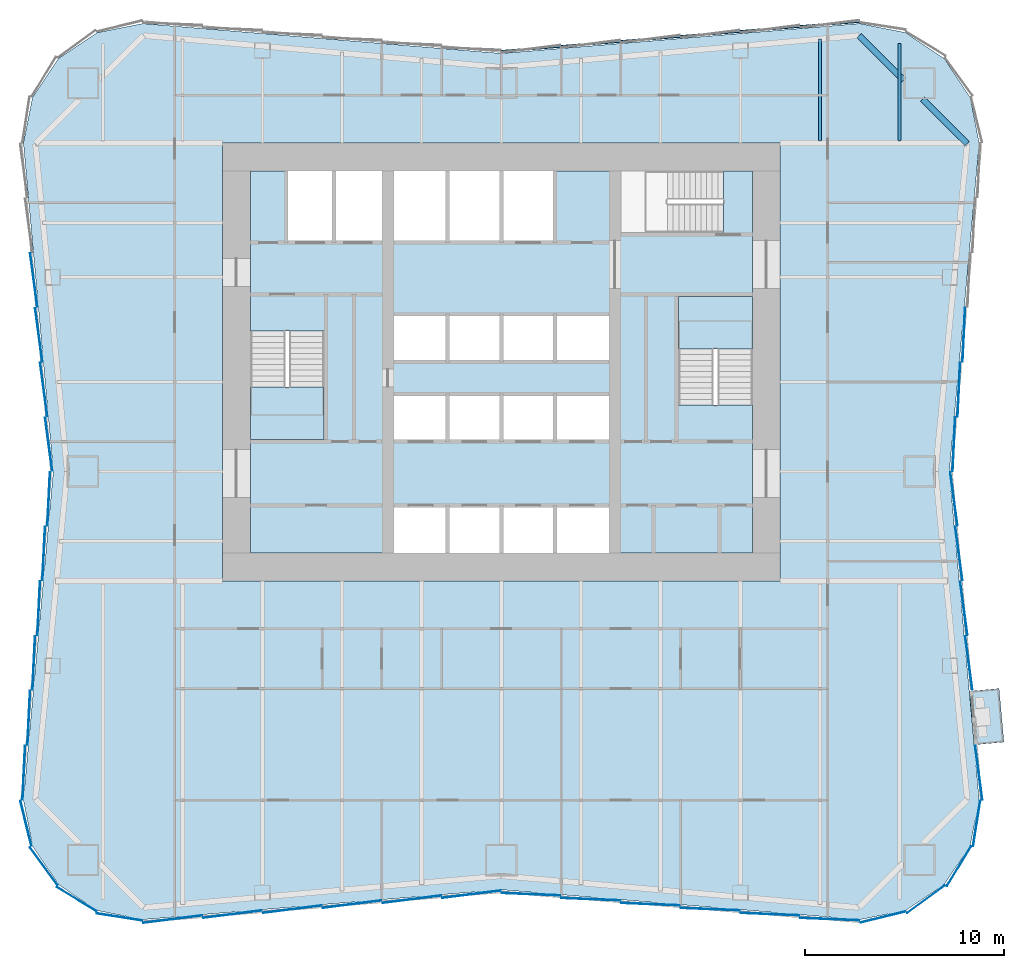
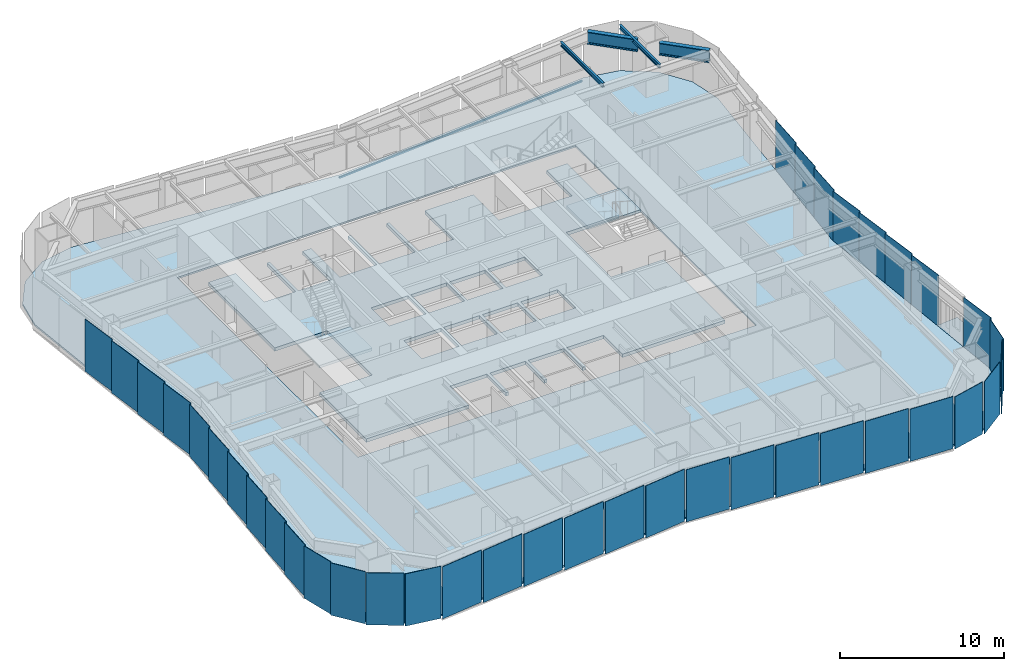
# One storey, part 2 of 9: 38 plates, 5 slabs, 4 beams, 1 member, 8 elements without a shape of their own.
"""IFC4 building model written with IfcOpenShell, lengths in metres."""

from ifc_helpers import new_model, si_unit, direction, frame, origin, origin_2d, place, context, subcontext, project, spatial, polyline, rectangle, i_section, outline, extrude, material, layer, layer_set, material_profile, profile_set, type_object, element, aggregate, save


model = new_model("IFC4")

# Units and contexts
model_context = context("Model", 3, precision=1e-05, world=origin(), true_north=direction((0.0, 1.0)))
body_context = subcontext(model_context, "Body", "Model", "MODEL_VIEW")
ifc_project = project(units=[si_unit("LENGTHUNIT", "METRE"), si_unit("AREAUNIT", "SQUARE_METRE"), si_unit("VOLUMEUNIT", "CUBIC_METRE"), si_unit("PLANEANGLEUNIT", "RADIAN"), si_unit("MASSUNIT", "GRAM", prefix="KILO")], contexts=[model_context])

# Site, building, storey
site_placement = place(None, origin())
site = spatial("IfcSite", under=ifc_project, at=site_placement, CompositionType="ELEMENT")
building_placement = place(site_placement, origin())
building = spatial("IfcBuilding", under=site, at=building_placement, Name="Verdant Reach Tower", CompositionType="ELEMENT")
storey_placement = place(building_placement, frame((0.0, 0.0, 30.0)))
storey = spatial("IfcBuildingStorey", under=building, at=storey_placement, Name="L06", CompositionType="ELEMENT", Elevation=30.0)

# Curtain wall, member
ifc_material_1 = material(Name="Anodised aluminium", Category="aluminium")
curtain_wall_type = type_object("IfcCurtainWallType", Name="EN-CW SYSTEM Z0", PredefinedType="NOTDEFINED", material=ifc_material_1)
curtain_wall_1_placement = place(storey_placement, origin())
curtain_wall_1 = element("IfcCurtainWall", 1, at=curtain_wall_1_placement, inside=storey, type_object=curtain_wall_type, Name="Curtain wall north, L06", PredefinedType="NOTDEFINED")
ifc_material_profile_1 = material_profile(ifc_material_1, rectangle(XDim=0.10009765625, YDim=0.1201171875, at=origin_2d()), Name="Transom 120x100")
ifc_profile_set_1 = profile_set([ifc_material_profile_1], Name="Anodised aluminium")
member_type = type_object("IfcMemberType", Name="EN-TRANSOM Z0", PredefinedType="USERDEFINED", material=ifc_profile_set_1)
member_placement = place(storey_placement, frame((17.975830078125, 45.097412109375, -0.2900390625), z_axis=(-0.996548656072, -0.083010698588, 0.0), x_axis=(0.083010698588, -0.996548656072, 0.0)))
member = element("IfcMember", 2, at=member_placement, type_object=member_type, Name="Transom north face part 1 1.1, L06", ObjectType="TRANSOM", PredefinedType="USERDEFINED", context=body_context, shape_type="SweptSolid", body=[
    extrude(rectangle(XDim=0.10009765625, YDim=0.1201171875, at=origin_2d()), origin(), (0.0, 0.0, 1.0), 18.00830078125),
])
aggregate(curtain_wall_1, [member])

# Beams
ifc_material_2 = material(Name="Steel S355", Category="steel")
ifc_material_profile_2 = material_profile(ifc_material_2, i_section(OverallWidth=0.14990234375, OverallDepth=0.300048828125, WebThickness=0.007080078125, FlangeThickness=0.0107421875, FilletRadius=0.014892578125, at=origin_2d()), Name="IPE 300")
ifc_profile_set_2 = profile_set([ifc_material_profile_2], Name="Steel S355")
beam_type_1 = type_object("IfcBeamType", Name="ST-JOIST-IPE300", PredefinedType="JOIST", material=ifc_profile_set_2)
beam_1_placement = place(storey_placement, frame((16.0, 39.10009765625, 3.719970703125), z_axis=(0.0, 1.0, 0.0), x_axis=(-1.0, 0.0, 0.0)))
element("IfcBeam", 3, at=beam_1_placement, inside=storey, type_object=beam_type_1, Name="Floor joist, L06", PredefinedType="JOIST", context=body_context, shape_type="SweptSolid", body=[
    extrude(i_section(OverallWidth=0.14990234375, OverallDepth=0.300048828125, WebThickness=0.007080078125, FlangeThickness=0.0107421875, FilletRadius=0.014892578125, at=origin_2d()), origin(), (0.0, 0.0, 1.0), 5.131103515625),
])
beam_2_placement = place(storey_placement, frame((20.0, 39.10009765625, 3.719970703125), z_axis=(0.0, 1.0, 0.0), x_axis=(-1.0, 0.0, 0.0)))
element("IfcBeam", 4, at=beam_2_placement, inside=storey, type_object=beam_type_1, Name="Floor joist, L06", PredefinedType="JOIST", context=body_context, shape_type="SweptSolid", body=[
    extrude(i_section(OverallWidth=0.14990234375, OverallDepth=0.300048828125, WebThickness=0.007080078125, FlangeThickness=0.0107421875, FilletRadius=0.014892578125, at=origin_2d()), origin(), (0.0, 0.0, 1.0), 4.890380859375),
])
ifc_material_profile_3 = material_profile(ifc_material_2, i_section(OverallWidth=0.302001953125, OverallDepth=0.909912109375, WebThickness=0.02099609375, FlangeThickness=0.0400390625, FilletRadius=0.030029296875, at=origin_2d()), Name="HEM 900")
ifc_profile_set_3 = profile_set([ifc_material_profile_3], Name="Steel S355")
beam_type_2 = type_object("IfcBeamType", Name="ST-SPANDREL-HEM900", PredefinedType="SPANDREL", material=ifc_profile_set_3)
beam_3_placement = place(storey_placement, frame((17.9658203125, 44.39501953125, 3.4150390625), z_axis=(0.707222697162, -0.706990846206, 0.0), x_axis=(0.706990846206, 0.707222697162, 0.0)))
element("IfcBeam", 5, at=beam_3_placement, inside=storey, type_object=beam_type_2, Name="Edge beam, L06", PredefinedType="SPANDREL", context=body_context, shape_type="SweptSolid", body=[
    extrude(i_section(OverallWidth=0.302001953125, OverallDepth=0.909912109375, WebThickness=0.02099609375, FlangeThickness=0.0400390625, FilletRadius=0.030029296875, at=origin_2d()), origin(), (0.0, 0.0, 1.0), 3.158935546875),
])
beam_4_placement = place(storey_placement, frame((21.161865234375, 41.199951171875, 3.4150390625), z_axis=(0.70722277322, -0.706990770123, 0.0), x_axis=(0.706990770123, 0.70722277322, 0.0)))
element("IfcBeam", 6, at=beam_4_placement, inside=storey, type_object=beam_type_2, Name="Edge beam, L06", PredefinedType="SPANDREL", context=body_context, shape_type="SweptSolid", body=[
    extrude(i_section(OverallWidth=0.302001953125, OverallDepth=0.909912109375, WebThickness=0.02099609375, FlangeThickness=0.0400390625, FilletRadius=0.030029296875, at=origin_2d()), origin(), (0.0, 0.0, 1.0), 3.156982421875),
])

# Stair, slab
ifc_material_3 = material(Name="Concrete C40/50", Category="concrete")
stair_type = type_object("IfcStairType", Name="CO-STAIR", PredefinedType="HALF_TURN_STAIR", material=ifc_material_3)
stair_1_placement = place(storey_placement, origin())
stair_1 = element("IfcStair", 7, at=stair_1_placement, inside=storey, type_object=stair_type, Name="L06 Exit stair 1", PredefinedType="HALF_TURN_STAIR")
ifc_layer_1 = layer(ifc_material_3, 0.199951171875)
ifc_layer_set_1 = layer_set([ifc_layer_1], Name="CO-STAIR-LANDING")
slab_type_1 = type_object("IfcSlabType", Name="CO-STAIR-LANDING", PredefinedType="LANDING", material=ifc_layer_set_1)
slab_1_placement = place(storey_placement, frame((0.0, 0.0, 1.800048828125)))
slab_1 = element("IfcSlab", 8, at=slab_1_placement, type_object=slab_type_1, Name="ST-1 landing 1", PredefinedType="LANDING", context=body_context, shape_type="SweptSolid", body=[
    extrude(outline(polyline([(-12.60009765625, 26.75), (-12.60009765625, 24.10009765625), (-8.89990234375, 24.10009765625), (-8.89990234375, 26.75), (-12.60009765625, 26.75)])), origin(), (0.0, 0.0, 1.0), 0.199951171875),
])
aggregate(stair_1, [slab_1])

stair_2_placement = place(storey_placement, origin())
stair_2 = element("IfcStair", 9, at=stair_2_placement, inside=storey, type_object=stair_type, Name="L06 Exit stair 2", PredefinedType="HALF_TURN_STAIR")
slab_2_placement = place(storey_placement, frame((0.0, 0.0, 1.800048828125)))
slab_2 = element("IfcSlab", 10, at=slab_2_placement, type_object=slab_type_1, Name="ST-2 landing 1", PredefinedType="LANDING", context=body_context, shape_type="SweptSolid", body=[
    extrude(outline(polyline([(12.60009765625, 28.64990234375), (12.60009765625, 31.300048828125), (8.89990234375, 31.300048828125), (8.89990234375, 28.64990234375), (12.60009765625, 28.64990234375)])), origin(), (0.0, 0.0, 1.0), 0.199951171875),
])
aggregate(stair_2, [slab_2])

# Slab
ifc_material_4 = material(Name="Concrete C35/45", Category="concrete")
ifc_layer_2 = layer(ifc_material_4, 0.25)
ifc_layer_set_2 = layer_set([ifc_layer_2], Name="EN-BALCONY SLAB")
slab_type_2 = type_object("IfcSlabType", Name="EN-BALCONY SLAB", PredefinedType="FLOOR", material=ifc_layer_set_2)
slab_3_placement = place(storey_placement, frame((0.0, 0.0, -0.25)))
element("IfcSlab", 11, at=slab_3_placement, inside=storey, type_object=slab_type_2, Name="Balcony slab 1, L06", PredefinedType="FLOOR", context=body_context, shape_type="SweptSolid", body=[
    extrude(outline(polyline([(23.747314453125, 8.77978515625), (23.502685546875, 11.47021484375), (24.99658203125, 11.60595703125), (25.2412109375, 8.915771484375), (23.747314453125, 8.77978515625)])), origin(), (0.0, 0.0, 1.0), 0.25),
])

# Curtain wall, plates
curtain_wall_2_placement = place(storey_placement, origin())
curtain_wall_2 = element("IfcCurtainWall", 12, at=curtain_wall_2_placement, inside=storey, type_object=curtain_wall_type, Name="Curtain wall south-east corner, L06", PredefinedType="NOTDEFINED")
ifc_material_5 = material(Name="Tinted glass with champagne spandrel", Category="glass")
ifc_layer_3 = layer(ifc_material_5, 0.031982421875)
ifc_layer_set_3 = layer_set([ifc_layer_3], Name="EN-PANEL CHAMPAGNE")
plate_type_1 = type_object("IfcPlateType", Name="EN-PANEL CHAMPAGNE", PredefinedType="CURTAIN_PANEL", material=ifc_layer_set_3)
plate_1_placement = place(storey_placement, frame((21.32373046875, 1.025390625, -0.22998046875), z_axis=(0.0, 0.0, 1.0), x_axis=(0.807456745624, 0.589926778461, 0.0)))
plate_1 = element("IfcPlate", 13, at=plate_1_placement, type_object=plate_type_1, Name="Glass panel south-east corner 2.1, L06", PredefinedType="CURTAIN_PANEL", context=body_context, shape_type="SweptSolid", body=[
    extrude(rectangle(XDim=2.32421875, YDim=0.031982421875, at=origin_2d()), origin(), (0.0, 0.0, 1.0), 3.8798828125),
])
plate_2_placement = place(storey_placement, frame((22.974609375, 2.67626953125, -0.22998046875), z_axis=(0.0, 0.0, 1.0), x_axis=(0.520291583159, 0.853988681713, 0.0)))
plate_2 = element("IfcPlate", 14, at=plate_2_placement, type_object=plate_type_1, Name="Glass panel south-east corner 3.1, L06", PredefinedType="CURTAIN_PANEL", context=body_context, shape_type="SweptSolid", body=[
    extrude(rectangle(XDim=2.32421875, YDim=0.031982421875, at=origin_2d()), origin(), (0.0, 0.0, 1.0), 3.8798828125),
])
plate_3_placement = place(storey_placement, frame((23.86767578125, 4.830078125, -0.22998046875), z_axis=(0.0, 0.0, 1.0), x_axis=(0.154210737778, 0.988037979206, 0.0)))
plate_3 = element("IfcPlate", 15, at=plate_3_placement, type_object=plate_type_1, Name="Glass panel south-east corner 4.1, L06", PredefinedType="CURTAIN_PANEL", context=body_context, shape_type="SweptSolid", body=[
    extrude(rectangle(XDim=2.31884765625, YDim=0.031982421875, at=origin_2d()), origin(), (0.0, 0.0, 1.0), 3.8798828125),
])

curtain_wall_3_placement = place(storey_placement, origin())
curtain_wall_3 = element("IfcCurtainWall", 16, at=curtain_wall_3_placement, inside=storey, type_object=curtain_wall_type, Name="Curtain wall east, L06", PredefinedType="NOTDEFINED")
plate_4_placement = place(storey_placement, frame((23.974609375, 7.376953125, -0.22998046875), z_axis=(0.0, 0.0, 1.0), x_axis=(-0.131792939527, 0.991277267514, 0.0)))
plate_4 = element("IfcPlate", 17, at=plate_4_placement, type_object=plate_type_1, Name="Glass panel east face part 1 1.1, L06", PredefinedType="CURTAIN_PANEL", context=body_context, shape_type="SweptSolid", body=[
    extrude(rectangle(XDim=2.7197265625, YDim=0.031982421875, at=origin_2d()), origin(), (0.0, 0.0, 1.0), 3.8798828125),
])
plate_5_placement = place(storey_placement, frame((22.974609375, 26.615966796875, -0.22998046875), z_axis=(0.0, 0.0, 1.0), x_axis=(0.04875265175, 0.998810882473, 0.0)))
plate_5 = element("IfcPlate", 18, at=plate_5_placement, type_object=plate_type_1, Name="Glass panel east face part 2 2.1, L06", PredefinedType="CURTAIN_PANEL", context=body_context, shape_type="SweptSolid", body=[
    extrude(rectangle(XDim=2.705322265625, YDim=0.031982421875, at=origin_2d()), origin(), (0.0, 0.0, 1.0), 3.8798828125),
])
plate_6_placement = place(storey_placement, frame((23.224609375, 29.365966796875, -0.22998046875), z_axis=(0.0, 0.0, 1.0), x_axis=(0.04875265175, 0.998810882473, 0.0)))
plate_6 = element("IfcPlate", 19, at=plate_6_placement, type_object=plate_type_1, Name="Glass panel east face part 2 3.1, L06", PredefinedType="CURTAIN_PANEL", context=body_context, shape_type="SweptSolid", body=[
    extrude(rectangle(XDim=2.705322265625, YDim=0.031982421875, at=origin_2d()), origin(), (0.0, 0.0, 1.0), 3.8798828125),
])

curtain_wall_4_placement = place(storey_placement, origin())
curtain_wall_4 = element("IfcCurtainWall", 20, at=curtain_wall_4_placement, inside=storey, type_object=curtain_wall_type, Name="Curtain wall west, L06", PredefinedType="NOTDEFINED")
plate_7_placement = place(storey_placement, frame((-22.974609375, 26.615966796875, -0.22998046875), z_axis=(0.0, 0.0, 1.0), x_axis=(0.132160009881, -0.99122839537, 0.0)))
plate_7 = element("IfcPlate", 21, at=plate_7_placement, type_object=plate_type_1, Name="Glass panel west face part 1 5.1, L06", PredefinedType="CURTAIN_PANEL", context=body_context, shape_type="SweptSolid", body=[
    extrude(rectangle(XDim=2.705322265625, YDim=0.031982421875, at=origin_2d()), origin(), (0.0, 0.0, 1.0), 3.8798828125),
])
plate_8_placement = place(storey_placement, frame((-22.724853515625, 23.870361328125, -0.22998046875), z_axis=(0.0, 0.0, 1.0), x_axis=(0.132307913434, -0.991208664229, 0.0)))
plate_8 = element("IfcPlate", 22, at=plate_8_placement, type_object=plate_type_1, Name="Glass panel west face part 1 6.1, L06", PredefinedType="CURTAIN_PANEL", context=body_context, shape_type="SweptSolid", body=[
    extrude(rectangle(XDim=2.6962890625, YDim=0.031982421875, at=origin_2d()), origin(), (0.0, 0.0, 1.0), 3.8798828125),
])
plate_9_placement = place(storey_placement, frame((-23.974609375, 7.376953125, -0.22998046875), z_axis=(0.0, 0.0, 1.0), x_axis=(-0.048382779248, -0.998828867561, 0.0)))
plate_9 = element("IfcPlate", 23, at=plate_9_placement, type_object=plate_type_1, Name="Glass panel west face part 2 6.1, L06", PredefinedType="CURTAIN_PANEL", context=body_context, shape_type="SweptSolid", body=[
    extrude(rectangle(XDim=2.7197265625, YDim=0.031982421875, at=origin_2d()), origin(), (0.0, 0.0, 1.0), 3.8798828125),
])

curtain_wall_5_placement = place(storey_placement, origin())
curtain_wall_5 = element("IfcCurtainWall", 24, at=curtain_wall_5_placement, inside=storey, type_object=curtain_wall_type, Name="Curtain wall south, L06", PredefinedType="NOTDEFINED")
plate_10_placement = place(storey_placement, frame((-13.49169921875, 0.275390625, -0.22998046875), z_axis=(0.0, 0.0, 1.0), x_axis=(0.992194034542, 0.124703639961, 0.0)))
plate_10 = element("IfcPlate", 25, at=plate_10_placement, type_object=plate_type_1, Name="Glass panel south face part 1 2.1, L06", PredefinedType="CURTAIN_PANEL", context=body_context, shape_type="SweptSolid", body=[
    extrude(rectangle(XDim=2.954345703125, YDim=0.031982421875, at=origin_2d()), origin(), (0.0, 0.0, 1.0), 3.8798828125),
])
plate_11_placement = place(storey_placement, frame((-10.49169921875, 0.525390625, -0.22998046875), z_axis=(0.0, 0.0, 1.0), x_axis=(0.992194034542, 0.124703639961, 0.0)))
plate_11 = element("IfcPlate", 26, at=plate_11_placement, type_object=plate_type_1, Name="Glass panel south face part 1 3.1, L06", PredefinedType="CURTAIN_PANEL", context=body_context, shape_type="SweptSolid", body=[
    extrude(rectangle(XDim=2.954345703125, YDim=0.031982421875, at=origin_2d()), origin(), (0.0, 0.0, 1.0), 3.8798828125),
])
plate_12_placement = place(storey_placement, frame((-7.49169921875, 0.775390625, -0.22998046875), z_axis=(0.0, 0.0, 1.0), x_axis=(0.992194034542, 0.124703639961, 0.0)))
plate_12 = element("IfcPlate", 27, at=plate_12_placement, type_object=plate_type_1, Name="Glass panel south face part 1 4.1, L06", PredefinedType="CURTAIN_PANEL", context=body_context, shape_type="SweptSolid", body=[
    extrude(rectangle(XDim=2.954345703125, YDim=0.031982421875, at=origin_2d()), origin(), (0.0, 0.0, 1.0), 3.8798828125),
])
plate_13_placement = place(storey_placement, frame((10.49169921875, 0.525390625, -0.22998046875), z_axis=(0.0, 0.0, 1.0), x_axis=(0.999149202059, -0.041241629766, 0.0)))
plate_13 = element("IfcPlate", 28, at=plate_13_placement, type_object=plate_type_1, Name="Glass panel south face part 2 4.1, L06", PredefinedType="CURTAIN_PANEL", context=body_context, shape_type="SweptSolid", body=[
    extrude(rectangle(XDim=2.954345703125, YDim=0.031982421875, at=origin_2d()), origin(), (0.0, 0.0, 1.0), 3.8798828125),
])
plate_14_placement = place(storey_placement, frame((13.49169921875, 0.275390625, -0.22998046875), z_axis=(0.0, 0.0, 1.0), x_axis=(0.999149202059, -0.041241629766, 0.0)))
plate_14 = element("IfcPlate", 29, at=plate_14_placement, type_object=plate_type_1, Name="Glass panel south face part 2 5.1, L06", PredefinedType="CURTAIN_PANEL", context=body_context, shape_type="SweptSolid", body=[
    extrude(rectangle(XDim=2.954345703125, YDim=0.031982421875, at=origin_2d()), origin(), (0.0, 0.0, 1.0), 3.8798828125),
])

# Plate
ifc_material_6 = material(Name="Tinted glass with copper spandrel", Category="glass")
ifc_layer_4 = layer(ifc_material_6, 0.031982421875)
ifc_layer_set_4 = layer_set([ifc_layer_4], Name="EN-PANEL COPPER")
plate_type_2 = type_object("IfcPlateType", Name="EN-PANEL COPPER", PredefinedType="CURTAIN_PANEL", material=ifc_layer_set_4)
plate_15_placement = place(storey_placement, frame((23.474609375, 12.884033203125, -0.22998046875), z_axis=(0.0, 0.0, 1.0), x_axis=(-0.132160009881, 0.99122839537, 0.0)))
plate_15 = element("IfcPlate", 30, at=plate_15_placement, type_object=plate_type_2, Name="Glass panel east face part 1 3.1, L06", PredefinedType="CURTAIN_PANEL", context=body_context, shape_type="SweptSolid", body=[
    extrude(rectangle(XDim=2.705322265625, YDim=0.031982421875, at=origin_2d()), origin(), (0.0, 0.0, 1.0), 3.8798828125),
])

plate_16_placement = place(storey_placement, frame((23.224609375, 15.634033203125, -0.22998046875), z_axis=(0.0, 0.0, 1.0), x_axis=(-0.132160009881, 0.99122839537, 0.0)))
plate_16 = element("IfcPlate", 31, at=plate_16_placement, type_object=plate_type_2, Name="Glass panel east face part 1 4.1, L06", PredefinedType="CURTAIN_PANEL", context=body_context, shape_type="SweptSolid", body=[
    extrude(rectangle(XDim=2.705322265625, YDim=0.031982421875, at=origin_2d()), origin(), (0.0, 0.0, 1.0), 3.8798828125),
])

plate_17_placement = place(storey_placement, frame((22.974609375, 18.384033203125, -0.22998046875), z_axis=(0.0, 0.0, 1.0), x_axis=(-0.132160009881, 0.99122839537, 0.0)))
plate_17 = element("IfcPlate", 32, at=plate_17_placement, type_object=plate_type_2, Name="Glass panel east face part 1 5.1, L06", PredefinedType="CURTAIN_PANEL", context=body_context, shape_type="SweptSolid", body=[
    extrude(rectangle(XDim=2.705322265625, YDim=0.031982421875, at=origin_2d()), origin(), (0.0, 0.0, 1.0), 3.8798828125),
])

plate_18_placement = place(storey_placement, frame((-22.724853515625, 21.129638671875, -0.22998046875), z_axis=(0.0, 0.0, 1.0), x_axis=(-0.048901687644, -0.998803596782, 0.0)))
plate_18 = element("IfcPlate", 33, at=plate_18_placement, type_object=plate_type_2, Name="Glass panel west face part 2 1.1, L06", PredefinedType="CURTAIN_PANEL", context=body_context, shape_type="SweptSolid", body=[
    extrude(rectangle(XDim=2.6962890625, YDim=0.031982421875, at=origin_2d()), origin(), (0.0, 0.0, 1.0), 3.8798828125),
])

plate_19_placement = place(storey_placement, frame((-22.974609375, 18.384033203125, -0.22998046875), z_axis=(0.0, 0.0, 1.0), x_axis=(-0.04875265175, -0.998810882473, 0.0)))
plate_19 = element("IfcPlate", 34, at=plate_19_placement, type_object=plate_type_2, Name="Glass panel west face part 2 2.1, L06", PredefinedType="CURTAIN_PANEL", context=body_context, shape_type="SweptSolid", body=[
    extrude(rectangle(XDim=2.705322265625, YDim=0.031982421875, at=origin_2d()), origin(), (0.0, 0.0, 1.0), 3.8798828125),
])

plate_20_placement = place(storey_placement, frame((-23.224609375, 15.634033203125, -0.22998046875), z_axis=(0.0, 0.0, 1.0), x_axis=(-0.04875265175, -0.998810882473, 0.0)))
plate_20 = element("IfcPlate", 35, at=plate_20_placement, type_object=plate_type_2, Name="Glass panel west face part 2 3.1, L06", PredefinedType="CURTAIN_PANEL", context=body_context, shape_type="SweptSolid", body=[
    extrude(rectangle(XDim=2.705322265625, YDim=0.031982421875, at=origin_2d()), origin(), (0.0, 0.0, 1.0), 3.8798828125),
])

# Curtain wall, plate
curtain_wall_6_placement = place(storey_placement, origin())
curtain_wall_6 = element("IfcCurtainWall", 36, at=curtain_wall_6_placement, inside=storey, type_object=curtain_wall_type, Name="Curtain wall south-west corner, L06", PredefinedType="NOTDEFINED")
plate_21_placement = place(storey_placement, frame((-23.86767578125, 4.830078125, -0.22998046875), z_axis=(0.0, 0.0, 1.0), x_axis=(0.236346786246, -0.97166876899, 0.0)))
plate_21 = element("IfcPlate", 37, at=plate_21_placement, type_object=plate_type_2, Name="Glass panel south-west corner 1.1, L06", PredefinedType="CURTAIN_PANEL", context=body_context, shape_type="SweptSolid", body=[
    extrude(rectangle(XDim=2.31884765625, YDim=0.031982421875, at=origin_2d()), origin(), (0.0, 0.0, 1.0), 3.8798828125),
])

# Plate
plate_22_placement = place(storey_placement, frame((-4.49169921875, 1.025390625, -0.22998046875), z_axis=(0.0, 0.0, 1.0), x_axis=(0.992194034542, 0.124703639961, 0.0)))
plate_22 = element("IfcPlate", 38, at=plate_22_placement, type_object=plate_type_2, Name="Glass panel south face part 1 5.1, L06", PredefinedType="CURTAIN_PANEL", context=body_context, shape_type="SweptSolid", body=[
    extrude(rectangle(XDim=2.954345703125, YDim=0.031982421875, at=origin_2d()), origin(), (0.0, 0.0, 1.0), 3.8798828125),
])

plate_23_placement = place(storey_placement, frame((-1.495849609375, 1.275146484375, -0.22998046875), z_axis=(0.0, 0.0, 1.0), x_axis=(0.992179679439, 0.124817802047, 0.0)))
plate_23 = element("IfcPlate", 39, at=plate_23_placement, type_object=plate_type_2, Name="Glass panel south face part 1 6.1, L06", PredefinedType="CURTAIN_PANEL", context=body_context, shape_type="SweptSolid", body=[
    extrude(rectangle(XDim=2.946044921875, YDim=0.031982421875, at=origin_2d()), origin(), (0.0, 0.0, 1.0), 3.8798828125),
])

plate_24_placement = place(storey_placement, frame((16.498779296875, 0.025146484375, -0.22998046875), z_axis=(0.0, 0.0, 1.0), x_axis=(0.999162442933, -0.040919587398, 0.0)))
plate_24 = element("IfcPlate", 40, at=plate_24_placement, type_object=plate_type_2, Name="Glass panel south face part 2 6.1, L06", PredefinedType="CURTAIN_PANEL", context=body_context, shape_type="SweptSolid", body=[
    extrude(rectangle(XDim=2.96826171875, YDim=0.031982421875, at=origin_2d()), origin(), (0.0, 0.0, 1.0), 3.8798828125),
])

ifc_material_7 = material(Name="Tinted glass with dark bronze spandrel", Category="glass")
ifc_layer_5 = layer(ifc_material_7, 0.031982421875)
ifc_layer_set_5 = layer_set([ifc_layer_5], Name="EN-PANEL DARK")
plate_type_3 = type_object("IfcPlateType", Name="EN-PANEL DARK", PredefinedType="CURTAIN_PANEL", material=ifc_layer_set_5)
plate_25_placement = place(storey_placement, frame((19.169921875, 0.13232421875, -0.22998046875), z_axis=(0.0, 0.0, 1.0), x_axis=(0.97166347331, 0.236368556782, 0.0)))
plate_25 = element("IfcPlate", 41, at=plate_25_placement, type_object=plate_type_3, Name="Glass panel south-east corner 1.1, L06", PredefinedType="CURTAIN_PANEL", context=body_context, shape_type="SweptSolid", body=[
    extrude(rectangle(XDim=2.318603515625, YDim=0.031982421875, at=origin_2d()), origin(), (0.0, 0.0, 1.0), 3.8798828125),
])

aggregate(curtain_wall_2, [plate_25, plate_1, plate_2, plate_3])

plate_26_placement = place(storey_placement, frame((22.724853515625, 21.129638671875, -0.22998046875), z_axis=(0.0, 0.0, 1.0), x_axis=(-0.132307913434, 0.991208664229, 0.0)))
plate_26 = element("IfcPlate", 42, at=plate_26_placement, type_object=plate_type_3, Name="Glass panel east face part 1 6.1, L06", PredefinedType="CURTAIN_PANEL", context=body_context, shape_type="SweptSolid", body=[
    extrude(rectangle(XDim=2.6962890625, YDim=0.031982421875, at=origin_2d()), origin(), (0.0, 0.0, 1.0), 3.8798828125),
])

plate_27_placement = place(storey_placement, frame((22.724853515625, 23.870361328125, -0.22998046875), z_axis=(0.0, 0.0, 1.0), x_axis=(0.048901687644, 0.998803596782, 0.0)))
plate_27 = element("IfcPlate", 43, at=plate_27_placement, type_object=plate_type_3, Name="Glass panel east face part 2 1.1, L06", PredefinedType="CURTAIN_PANEL", context=body_context, shape_type="SweptSolid", body=[
    extrude(rectangle(XDim=2.6962890625, YDim=0.031982421875, at=origin_2d()), origin(), (0.0, 0.0, 1.0), 3.8798828125),
])

aggregate(curtain_wall_3, [plate_4, plate_15, plate_16, plate_17, plate_26, plate_27, plate_5, plate_6])

plate_28_placement = place(storey_placement, frame((-23.474609375, 32.115966796875, -0.22998046875), z_axis=(0.0, 0.0, 1.0), x_axis=(0.132160009881, -0.99122839537, 0.0)))
plate_28 = element("IfcPlate", 44, at=plate_28_placement, type_object=plate_type_3, Name="Glass panel west face part 1 3.1, L06", PredefinedType="CURTAIN_PANEL", context=body_context, shape_type="SweptSolid", body=[
    extrude(rectangle(XDim=2.705322265625, YDim=0.031982421875, at=origin_2d()), origin(), (0.0, 0.0, 1.0), 3.8798828125),
])

plate_29_placement = place(storey_placement, frame((-23.224609375, 29.365966796875, -0.22998046875), z_axis=(0.0, 0.0, 1.0), x_axis=(0.132160009881, -0.99122839537, 0.0)))
plate_29 = element("IfcPlate", 45, at=plate_29_placement, type_object=plate_type_3, Name="Glass panel west face part 1 4.1, L06", PredefinedType="CURTAIN_PANEL", context=body_context, shape_type="SweptSolid", body=[
    extrude(rectangle(XDim=2.705322265625, YDim=0.031982421875, at=origin_2d()), origin(), (0.0, 0.0, 1.0), 3.8798828125),
])

plate_30_placement = place(storey_placement, frame((-23.474609375, 12.884033203125, -0.22998046875), z_axis=(0.0, 0.0, 1.0), x_axis=(-0.04875265175, -0.998810882473, 0.0)))
plate_30 = element("IfcPlate", 46, at=plate_30_placement, type_object=plate_type_3, Name="Glass panel west face part 2 4.1, L06", PredefinedType="CURTAIN_PANEL", context=body_context, shape_type="SweptSolid", body=[
    extrude(rectangle(XDim=2.705322265625, YDim=0.031982421875, at=origin_2d()), origin(), (0.0, 0.0, 1.0), 3.8798828125),
])

plate_31_placement = place(storey_placement, frame((-23.724609375, 10.134033203125, -0.22998046875), z_axis=(0.0, 0.0, 1.0), x_axis=(-0.04875265175, -0.998810882473, 0.0)))
plate_31 = element("IfcPlate", 47, at=plate_31_placement, type_object=plate_type_3, Name="Glass panel west face part 2 5.1, L06", PredefinedType="CURTAIN_PANEL", context=body_context, shape_type="SweptSolid", body=[
    extrude(rectangle(XDim=2.705322265625, YDim=0.031982421875, at=origin_2d()), origin(), (0.0, 0.0, 1.0), 3.8798828125),
])

aggregate(curtain_wall_4, [plate_28, plate_29, plate_7, plate_8, plate_18, plate_19, plate_20, plate_30, plate_31, plate_9])

plate_32_placement = place(storey_placement, frame((-22.974609375, 2.67626953125, -0.22998046875), z_axis=(0.0, 0.0, 1.0), x_axis=(0.589926778461, -0.807456745624, 0.0)))
plate_32 = element("IfcPlate", 48, at=plate_32_placement, type_object=plate_type_3, Name="Glass panel south-west corner 2.1, L06", PredefinedType="CURTAIN_PANEL", context=body_context, shape_type="SweptSolid", body=[
    extrude(rectangle(XDim=2.32421875, YDim=0.031982421875, at=origin_2d()), origin(), (0.0, 0.0, 1.0), 3.8798828125),
])

plate_33_placement = place(storey_placement, frame((-21.32373046875, 1.025390625, -0.22998046875), z_axis=(0.0, 0.0, 1.0), x_axis=(0.853988681713, -0.520291583159, 0.0)))
plate_33 = element("IfcPlate", 49, at=plate_33_placement, type_object=plate_type_3, Name="Glass panel south-west corner 3.1, L06", PredefinedType="CURTAIN_PANEL", context=body_context, shape_type="SweptSolid", body=[
    extrude(rectangle(XDim=2.32421875, YDim=0.031982421875, at=origin_2d()), origin(), (0.0, 0.0, 1.0), 3.8798828125),
])

plate_34_placement = place(storey_placement, frame((-19.169921875, 0.13232421875, -0.22998046875), z_axis=(0.0, 0.0, 1.0), x_axis=(0.98803452381, -0.154232875093, 0.0)))
plate_34 = element("IfcPlate", 50, at=plate_34_placement, type_object=plate_type_3, Name="Glass panel south-west corner 4.1, L06", PredefinedType="CURTAIN_PANEL", context=body_context, shape_type="SweptSolid", body=[
    extrude(rectangle(XDim=2.318603515625, YDim=0.031982421875, at=origin_2d()), origin(), (0.0, 0.0, 1.0), 3.8798828125),
])

aggregate(curtain_wall_6, [plate_21, plate_32, plate_33, plate_34])

plate_35_placement = place(storey_placement, frame((-16.498779296875, 0.025146484375, -0.22998046875), z_axis=(0.0, 0.0, 1.0), x_axis=(0.992234176789, 0.124383835008, 0.0)))
plate_35 = element("IfcPlate", 51, at=plate_35_placement, type_object=plate_type_3, Name="Glass panel south face part 1 1.1, L06", PredefinedType="CURTAIN_PANEL", context=body_context, shape_type="SweptSolid", body=[
    extrude(rectangle(XDim=2.96826171875, YDim=0.031982421875, at=origin_2d()), origin(), (0.0, 0.0, 1.0), 3.8798828125),
])

plate_36_placement = place(storey_placement, frame((1.495849609375, 1.275146484375, -0.22998046875), z_axis=(0.0, 0.0, 1.0), x_axis=(0.999144450138, -0.041356592674, 0.0)))
plate_36 = element("IfcPlate", 52, at=plate_36_placement, type_object=plate_type_3, Name="Glass panel south face part 2 1.1, L06", PredefinedType="CURTAIN_PANEL", context=body_context, shape_type="SweptSolid", body=[
    extrude(rectangle(XDim=2.946044921875, YDim=0.031982421875, at=origin_2d()), origin(), (0.0, 0.0, 1.0), 3.8798828125),
])

plate_37_placement = place(storey_placement, frame((4.49169921875, 1.025390625, -0.22998046875), z_axis=(0.0, 0.0, 1.0), x_axis=(0.999149202059, -0.041241629766, 0.0)))
plate_37 = element("IfcPlate", 53, at=plate_37_placement, type_object=plate_type_3, Name="Glass panel south face part 2 2.1, L06", PredefinedType="CURTAIN_PANEL", context=body_context, shape_type="SweptSolid", body=[
    extrude(rectangle(XDim=2.954345703125, YDim=0.031982421875, at=origin_2d()), origin(), (0.0, 0.0, 1.0), 3.8798828125),
])

plate_38_placement = place(storey_placement, frame((7.49169921875, 0.775390625, -0.22998046875), z_axis=(0.0, 0.0, 1.0), x_axis=(0.999149202059, -0.041241629766, 0.0)))
plate_38 = element("IfcPlate", 54, at=plate_38_placement, type_object=plate_type_3, Name="Glass panel south face part 2 3.1, L06", PredefinedType="CURTAIN_PANEL", context=body_context, shape_type="SweptSolid", body=[
    extrude(rectangle(XDim=2.954345703125, YDim=0.031982421875, at=origin_2d()), origin(), (0.0, 0.0, 1.0), 3.8798828125),
])

aggregate(curtain_wall_5, [plate_35, plate_10, plate_11, plate_12, plate_22, plate_23, plate_36, plate_37, plate_38, plate_13, plate_14, plate_24])

# Slabs
ifc_material_8 = material(Name="Concrete C35/45", Category="concrete")
ifc_layer_6 = layer(ifc_material_8, 0.1298828125)
ifc_layer_set_6 = layer_set([ifc_layer_6], Name="ST-SLAB-130")
slab_type_3 = type_object("IfcSlabType", Name="ST-SLAB-130", PredefinedType="FLOOR", material=ifc_layer_set_6)
slab_4_placement = place(storey_placement, frame((0.0, 0.0, -0.1298828125)))
element("IfcSlab", 55, at=slab_4_placement, inside=storey, type_object=slab_type_3, Name="Floor slab L06", PredefinedType="FLOOR", context=body_context, shape_type="SweptSolid", body=[
    extrude(outline(polyline([(0.0, 1.5), (-18.0, 0.0), (-20.296142578125, 0.456787109375), (-22.24267578125, 1.75732421875), (-23.543212890625, 3.703857421875), (-24.0, 6.0), (-22.5, 22.5), (-24.0, 39.0), (-23.543212890625, 41.296142578125), (-22.24267578125, 43.24267578125), (-20.296142578125, 44.543212890625), (-18.0, 45.0), (0.0, 43.5), (18.0, 45.0), (20.296142578125, 44.543212890625), (22.24267578125, 43.24267578125), (23.543212890625, 41.296142578125), (24.0, 39.0), (22.5, 22.5), (24.0, 6.0), (23.543212890625, 3.703857421875), (22.24267578125, 1.75732421875), (20.296142578125, 0.456787109375), (18.0, 0.0), (0.0, 1.5)]), holes=[polyline([(14.0, 39.0), (-14.0, 39.0), (-14.0, 17.0), (14.0, 17.0), (14.0, 39.0)])]), origin(), (0.0, 0.0, 1.0), 0.1298828125),
])
ifc_layer_7 = layer(ifc_material_8, 0.25)
ifc_layer_set_7 = layer_set([ifc_layer_7], Name="ST-SLAB-250")
slab_type_4 = type_object("IfcSlabType", Name="ST-SLAB-250", PredefinedType="FLOOR", material=ifc_layer_set_7)
slab_5_placement = place(storey_placement, frame((0.0, 0.0, -0.25)))
element("IfcSlab", 56, at=slab_5_placement, inside=storey, type_object=slab_type_4, Name="Core floor slab L06", PredefinedType="FLOOR", context=body_context, shape_type="SweptSolid", body=[
    extrude(outline(polyline([(12.60009765625, 18.39990234375), (5.39990234375, 18.39990234375), (5.39990234375, 20.699951171875), (2.800048828125, 20.699951171875), (2.800048828125, 18.39990234375), (2.60009765625, 18.39990234375), (2.60009765625, 20.699951171875), (0.10009765625, 20.699951171875), (0.10009765625, 18.39990234375), (-0.10009765625, 18.39990234375), (-0.10009765625, 20.699951171875), (-2.60009765625, 20.699951171875), (-2.60009765625, 18.39990234375), (-2.800048828125, 18.39990234375), (-2.800048828125, 20.699951171875), (-5.39990234375, 20.699951171875), (-5.39990234375, 18.39990234375), (-12.60009765625, 18.39990234375), (-12.60009765625, 24.10009765625), (-8.89990234375, 24.10009765625), (-8.89990234375, 29.548095703125), (-12.60009765625, 29.548095703125), (-12.60009765625, 37.60009765625), (-10.699951171875, 37.60009765625), (-10.699951171875, 34.10009765625), (-8.5, 34.10009765625), (-8.5, 37.60009765625), (-8.300048828125, 37.60009765625), (-8.300048828125, 34.10009765625), (-6.0, 34.10009765625), (-6.0, 37.60009765625), (-5.39990234375, 37.60009765625), (-5.39990234375, 34.10009765625), (-2.800048828125, 34.10009765625), (-2.800048828125, 37.60009765625), (-2.60009765625, 37.60009765625), (-2.60009765625, 34.10009765625), (-0.10009765625, 34.10009765625), (-0.10009765625, 37.60009765625), (0.10009765625, 37.60009765625), (0.10009765625, 34.10009765625), (2.60009765625, 34.10009765625), (2.60009765625, 37.60009765625), (6.0, 37.60009765625), (6.0, 34.5), (11.14794921875, 34.5), (11.14794921875, 37.60009765625), (12.60009765625, 37.60009765625), (12.60009765625, 31.300048828125), (8.89990234375, 31.300048828125), (8.89990234375, 25.85205078125), (12.60009765625, 25.85205078125), (12.60009765625, 18.39990234375)]), holes=[polyline([(-2.800048828125, 24.10009765625), (-2.800048828125, 26.300048828125), (-5.39990234375, 26.300048828125), (-5.39990234375, 24.10009765625), (-2.800048828125, 24.10009765625)]), polyline([(-2.60009765625, 24.10009765625), (-0.10009765625, 24.10009765625), (-0.10009765625, 26.300048828125), (-2.60009765625, 26.300048828125), (-2.60009765625, 24.10009765625)]), polyline([(-2.800048828125, 28.10009765625), (-2.800048828125, 30.300048828125), (-5.39990234375, 30.300048828125), (-5.39990234375, 28.10009765625), (-2.800048828125, 28.10009765625)]), polyline([(-0.10009765625, 28.10009765625), (-0.10009765625, 30.300048828125), (-2.60009765625, 30.300048828125), (-2.60009765625, 28.10009765625), (-0.10009765625, 28.10009765625)]), polyline([(2.60009765625, 24.10009765625), (2.60009765625, 26.300048828125), (0.10009765625, 26.300048828125), (0.10009765625, 24.10009765625), (2.60009765625, 24.10009765625)]), polyline([(2.800048828125, 24.10009765625), (5.39990234375, 24.10009765625), (5.39990234375, 26.300048828125), (2.800048828125, 26.300048828125), (2.800048828125, 24.10009765625)]), polyline([(2.60009765625, 28.10009765625), (2.60009765625, 30.300048828125), (0.10009765625, 30.300048828125), (0.10009765625, 28.10009765625), (2.60009765625, 28.10009765625)]), polyline([(5.39990234375, 28.10009765625), (5.39990234375, 30.300048828125), (2.800048828125, 30.300048828125), (2.800048828125, 28.10009765625), (5.39990234375, 28.10009765625)])]), origin(), (0.0, 0.0, 1.0), 0.25),
])

save(model, "model.ifc")
